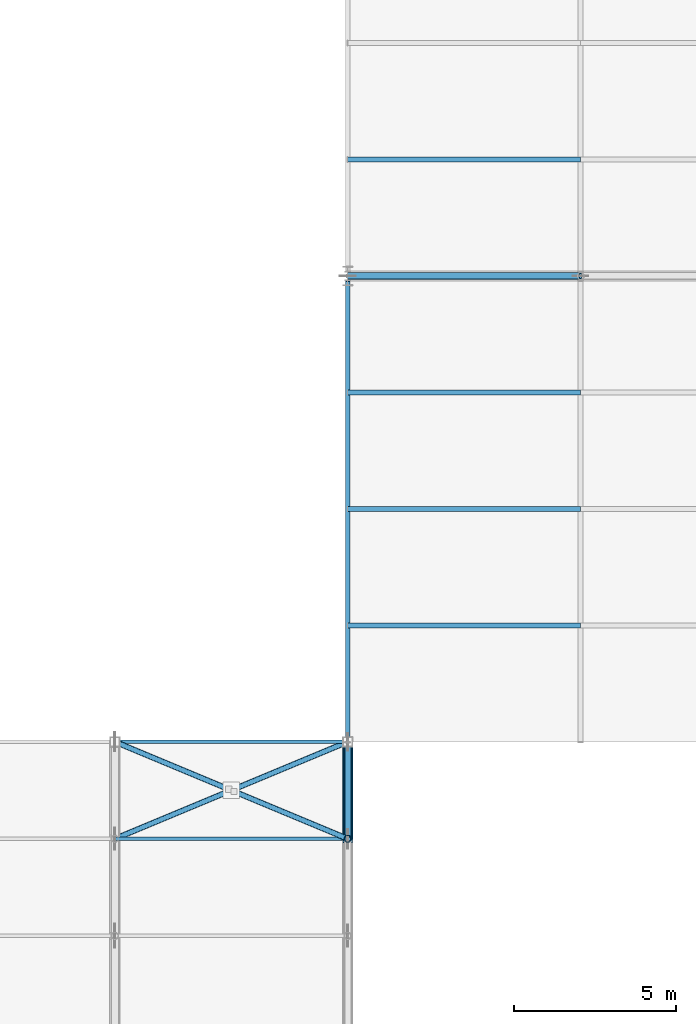
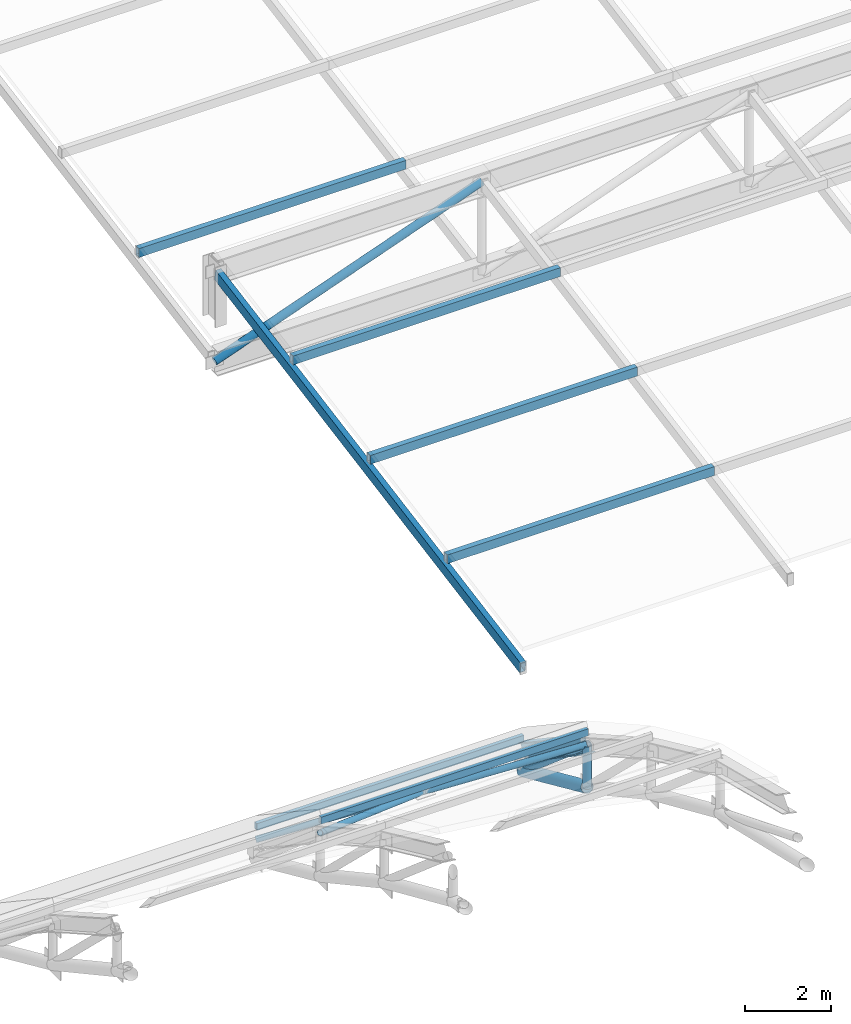
# One storey, part 26 of 63: 13 members, 2 beams.
"""IFC4 building model written with IfcOpenShell, lengths in metres."""

from ifc_helpers import new_model, si_unit, direction, frame, origin, origin_2d, place, context, subcontext, project, spatial, hollow_rectangle, hollow_circle, i_section, extrude, material, material_profile, profile_set, type_object, element, save


model = new_model("IFC4")

# Units and contexts
model_context = context("Model", 3, precision=1e-05, world=origin(), true_north=direction((0.0, 1.0)))
body_context = subcontext(model_context, "Body", "Model", "MODEL_VIEW")
ifc_project = project(units=[si_unit("LENGTHUNIT", "METRE"), si_unit("AREAUNIT", "SQUARE_METRE"), si_unit("VOLUMEUNIT", "CUBIC_METRE"), si_unit("PLANEANGLEUNIT", "RADIAN"), si_unit("MASSUNIT", "GRAM", prefix="KILO")], contexts=[model_context])

# Site, building, storey
site_placement = place(None, origin())
site = spatial("IfcSite", under=ifc_project, at=site_placement, CompositionType="ELEMENT")
building_placement = place(site_placement, origin())
building = spatial("IfcBuilding", under=site, at=building_placement, Name="Solvadek Multi-Sports Hall", CompositionType="ELEMENT")
storey_placement = place(building_placement, frame((0.0, 0.0, 19.199951171875)))
storey = spatial("IfcBuildingStorey", under=building, at=storey_placement, Name="RF", CompositionType="ELEMENT", Elevation=19.199951171875)

# Members
ifc_material_1 = material(Name="Steel E350 (350 MPa)", Category="steel")
ifc_material_profile_1 = material_profile(ifc_material_1, hollow_circle(Radius=0.084228515625, WallThickness=0.008056640625, at=origin_2d()), Name="CHS 168.3x8")
ifc_profile_set_1 = profile_set([ifc_material_profile_1], Name="Steel E350 (350 MPa)")
member_type_1 = type_object("IfcMemberType", Name="STR-BRC-CHS168", PredefinedType="BRACE", material=ifc_profile_set_1)
member_1_placement = place(storey_placement, frame((129.60009765625, 39.0, -1.545654296875), z_axis=(0.894028733366, 0.372514498511, -0.248888674542), x_axis=(-0.384617607118, 0.923075997031, 0.0)))
element("IfcMember", 1, at=member_1_placement, inside=storey, type_object=member_type_1, Name="V1 Roof Plan Brace #11", PredefinedType="BRACE", context=body_context, shape_type="SweptSolid", body=[
    extrude(hollow_circle(Radius=0.084228515625, WallThickness=0.008056640625, at=origin_2d()), origin(), (0.0, 0.0, 1.0), 8.053466796875),
])
member_2_placement = place(storey_placement, frame((129.60009765625, 42.0, -3.550048828125), z_axis=(0.894016396206, -0.372548198419, 0.248882548944), x_axis=(0.384651776791, 0.923061758828, 0.0)))
element("IfcMember", 2, at=member_2_placement, inside=storey, type_object=member_type_1, Name="V1 Roof Plan Half-Brace #12A", PredefinedType="BRACE", context=body_context, shape_type="SweptSolid", body=[
    extrude(hollow_circle(Radius=0.084228515625, WallThickness=0.008056640625, at=origin_2d()), origin(), (0.0, 0.0, 1.0), 3.9345703125),
])
member_3_placement = place(storey_placement, frame((133.2822265625, 40.4658203125, -2.52490234375), z_axis=(0.894028850757, -0.372527532788, 0.248868743173), x_axis=(0.384629030944, 0.923071236988, 0.0)))
element("IfcMember", 3, at=member_3_placement, inside=storey, type_object=member_type_1, Name="V1 Roof Plan Half-Brace #12B", PredefinedType="BRACE", context=body_context, shape_type="SweptSolid", body=[
    extrude(hollow_circle(Radius=0.084228515625, WallThickness=0.008056640625, at=origin_2d()), origin(), (0.0, 0.0, 1.0), 3.934814453125),
])
ifc_material_profile_2 = material_profile(ifc_material_1, hollow_circle(Radius=0.109619140625, WallThickness=0.010009765625, at=origin_2d()), Name="CHS 219.1x10")
ifc_profile_set_2 = profile_set([ifc_material_profile_2], Name="Steel E350 (350 MPa)")
member_type_2 = type_object("IfcMemberType", Name="STR-BRC-CHS219", PredefinedType="BRACE", material=ifc_profile_set_2)
member_4_placement = place(storey_placement, frame((136.800048828125, 39.0, -2.754150390625), z_axis=(0.0, 0.0, 1.0), x_axis=(1.0, 0.0, 0.0)))
element("IfcMember", 4, at=member_4_placement, inside=storey, type_object=member_type_2, Name="v1 Truss 8 Web Vertical 7", PredefinedType="BRACE", context=body_context, shape_type="SweptSolid", body=[
    extrude(hollow_circle(Radius=0.109619140625, WallThickness=0.010009765625, at=origin_2d()), origin(), (0.0, 0.0, 1.0), 1.20849609375),
])
member_5_placement = place(storey_placement, frame((136.800048828125, 39.0, -1.545654296875), z_axis=(0.0, 0.761413137307, -0.648266946818), x_axis=(-1.0, 0.0, 0.0)))
element("IfcMember", 5, at=member_5_placement, inside=storey, type_object=member_type_2, Name="v1 Truss 8 Web Diagonal 8", PredefinedType="BRACE", context=body_context, shape_type="SweptSolid", body=[
    extrude(hollow_circle(Radius=0.109619140625, WallThickness=0.010009765625, at=origin_2d()), origin(), (0.0, 0.0, 1.0), 3.93994140625),
])
member_6_placement = place(storey_placement, frame((136.800048828125, 56.39990234375, -1.16943359375), z_axis=(0.940559276771, 0.0, 0.339629573034), x_axis=(0.0, 1.0, 0.0)))
element("IfcMember", 6, at=member_6_placement, inside=storey, type_object=member_type_2, Name="V2 Clerestory Truss Web Diagonal #1", PredefinedType="BRACE", context=body_context, shape_type="SweptSolid", body=[
    extrude(hollow_circle(Radius=0.109619140625, WallThickness=0.010009765625, at=origin_2d()), origin(), (0.0, 0.0, 1.0), 7.655029296875),
])
ifc_material_profile_3 = material_profile(ifc_material_1, hollow_circle(Radius=0.161865234375, WallThickness=0.012451171875, at=origin_2d()), Name="CHS 323.9x12.5")
ifc_profile_set_3 = profile_set([ifc_material_profile_3], Name="Steel E350 (350 MPa)")
member_type_3 = type_object("IfcMemberType", Name="STR-CHD-CHS323", PredefinedType="CHORD", material=ifc_profile_set_3)
member_7_placement = place(storey_placement, frame((136.800048828125, 39.0, -2.754150390625), z_axis=(0.0, 0.912409902676, -0.409277619104), x_axis=(-1.0, 0.0, 0.0)))
element("IfcMember", 7, at=member_7_placement, inside=storey, type_object=member_type_3, Name="v1 Arched Truss 8 Bottom Chord 8", PredefinedType="CHORD", context=body_context, shape_type="SweptSolid", body=[
    extrude(hollow_circle(Radius=0.161865234375, WallThickness=0.012451171875, at=origin_2d()), origin(), (0.0, 0.0, 1.0), 3.2880859375),
])
ifc_material_2 = material(Name="Steel E250 (250 MPa)", Category="steel")
ifc_material_profile_4 = material_profile(ifc_material_2, hollow_rectangle(XDim=0.10009765625, YDim=0.199951171875, WallThickness=0.008056640625, at=origin_2d()), Name="RHS 200x100x8")
ifc_profile_set_4 = profile_set([ifc_material_profile_4], Name="Steel E250 (250 MPa)")
member_type_4 = type_object("IfcMemberType", Name="STR-PUR-RHS200", PredefinedType="PURLIN", material=ifc_profile_set_4)
for number, where, z_axis, x_axis, name in (
    (8, (129.60009765625, 39.0, -1.171142578125), (1.0, 0.0, 0.0), (0.0, 1.0, 0.0), "V1 Roof Purlin #62"),
    (9, (129.60009765625, 42.0, -3.17529296875), (1.0, 0.0, 0.0), (0.0, 1.0, 0.0), "V1 Roof Purlin #63"),
):
    element("IfcMember", number, at=place(storey_placement, frame(where, z_axis=z_axis, x_axis=x_axis)), inside=storey, type_object=member_type_4, Name=name, PredefinedType="PURLIN", context=body_context, shape_type="SweptSolid", body=[
        extrude(hollow_rectangle(XDim=0.10009765625, YDim=0.199951171875, WallThickness=0.008056640625, at=origin_2d()), origin(), (0.0, 0.0, 1.0), 7.199951171875),
    ])
ifc_material_profile_5 = material_profile(ifc_material_1, hollow_rectangle(XDim=0.14990234375, YDim=0.25, WallThickness=0.010009765625, at=origin_2d()), Name="RHS 250x150x10")
ifc_profile_set_5 = profile_set([ifc_material_profile_5], Name="Steel E350 (350 MPa)")
member_type_5 = type_object("IfcMemberType", Name="STR-PUR-RHS250", PredefinedType="PURLIN", material=ifc_profile_set_5)
for number, where, z_axis, x_axis, name in (
    (10, (136.800048828125, 45.60009765625, -0.230224609375), (1.0, 0.0, 0.0), (0.0, 1.0, 0.0), "V2 Clerestory Purlin #109"),
    (11, (136.800048828125, 49.199951171875, 0.419921875), (1.0, 0.0, 0.0), (0.0, 1.0, 0.0), "V2 Clerestory Purlin #110"),
    (12, (136.800048828125, 52.800048828125, 1.06982421875), (1.0, 0.0, 0.0), (0.0, 1.0, 0.0), "V2 Clerestory Purlin #111"),
    (13, (136.800048828125, 60.0, -0.235595703125), (1.0, 0.0, 0.0), (0.0, 1.0, 0.0), "V2 Clerestory Purlin #112"),
):
    element("IfcMember", number, at=place(storey_placement, frame(where, z_axis=z_axis, x_axis=x_axis)), inside=storey, type_object=member_type_5, Name=name, PredefinedType="PURLIN", context=body_context, shape_type="SweptSolid", body=[
        extrude(hollow_rectangle(XDim=0.14990234375, YDim=0.25, WallThickness=0.010009765625, at=origin_2d()), origin(), (0.0, 0.0, 1.0), 7.199951171875),
    ])

# Beams
ifc_material_profile_6 = material_profile(ifc_material_1, hollow_rectangle(XDim=0.14990234375, YDim=0.300048828125, WallThickness=0.010009765625, at=origin_2d()), Name="RHS 300x150x10")
ifc_profile_set_6 = profile_set([ifc_material_profile_6], Name="Steel E350 (350 MPa)")
beam_type_1 = type_object("IfcBeamType", Name="STR-TRS-RHS300", PredefinedType="USERDEFINED", material=ifc_profile_set_6)
beam_1_placement = place(storey_placement, frame((136.800048828125, 42.0, -1.16943359375), z_axis=(0.0, 0.984089826423, 0.177671645265), x_axis=(-1.0, 0.0, 0.0)))
element("IfcBeam", 14, at=beam_1_placement, inside=storey, type_object=beam_type_1, Name="V2 Clerestory Rafter Truss 1.1", ObjectType="ROOF TRUSS", PredefinedType="USERDEFINED", context=body_context, shape_type="SweptSolid", body=[
    extrude(hollow_rectangle(XDim=0.14990234375, YDim=0.300048828125, WallThickness=0.010009765625, at=origin_2d()), origin(), (0.0, 0.0, 1.0), 14.48046875),
])
ifc_material_profile_7 = material_profile(ifc_material_1, i_section(OverallWidth=0.300048828125, OverallDepth=0.449951171875, WebThickness=0.013916015625, FlangeThickness=0.02587890625, at=origin_2d()), Name="WPB 450")
ifc_profile_set_7 = profile_set([ifc_material_profile_7], Name="Steel E350 (350 MPa)")
beam_type_2 = type_object("IfcBeamType", Name="STR-TRS-WPB450", PredefinedType="USERDEFINED", material=ifc_profile_set_7)
beam_2_placement = place(storey_placement, frame((136.800048828125, 39.0, -1.545654296875), z_axis=(0.0, 0.831487713405, -0.55554314185), x_axis=(-1.0, 0.0, 0.0)))
element("IfcBeam", 15, at=beam_2_placement, inside=storey, type_object=beam_type_2, Name="v1 Arched Truss 8 Top Chord 8", ObjectType="ROOF TRUSS", PredefinedType="USERDEFINED", context=body_context, shape_type="SweptSolid", body=[
    extrude(i_section(OverallWidth=0.300048828125, OverallDepth=0.449951171875, WebThickness=0.013916015625, FlangeThickness=0.02587890625, at=origin_2d()), origin(), (0.0, 0.0, 1.0), 3.60791015625),
])

save(model, "model.ifc")
